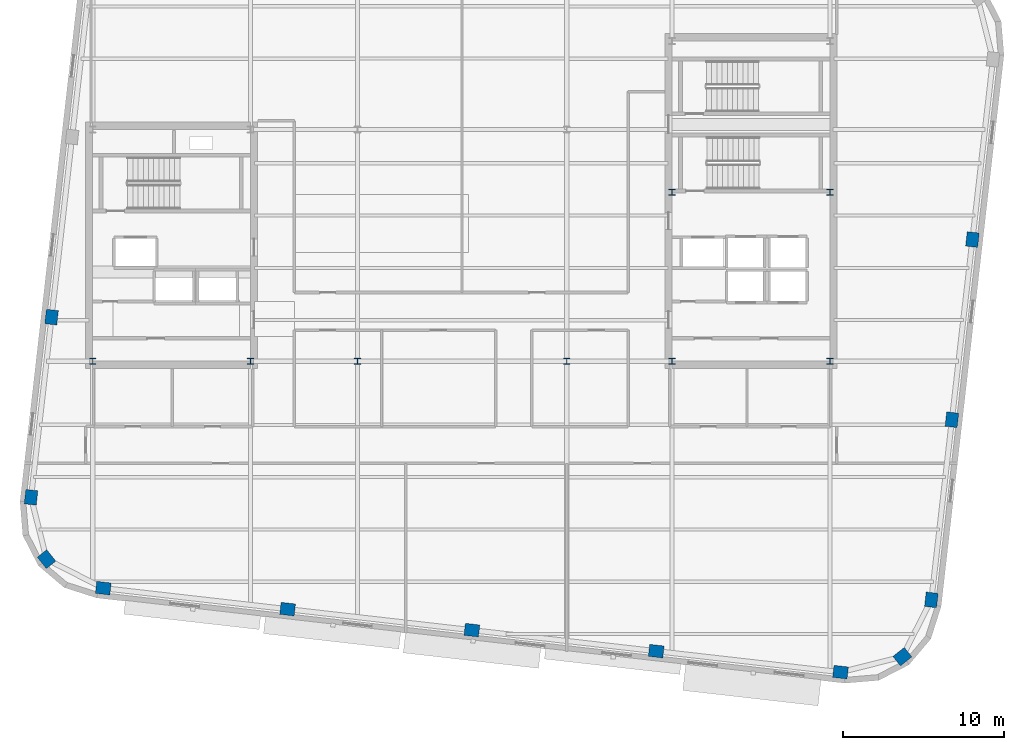
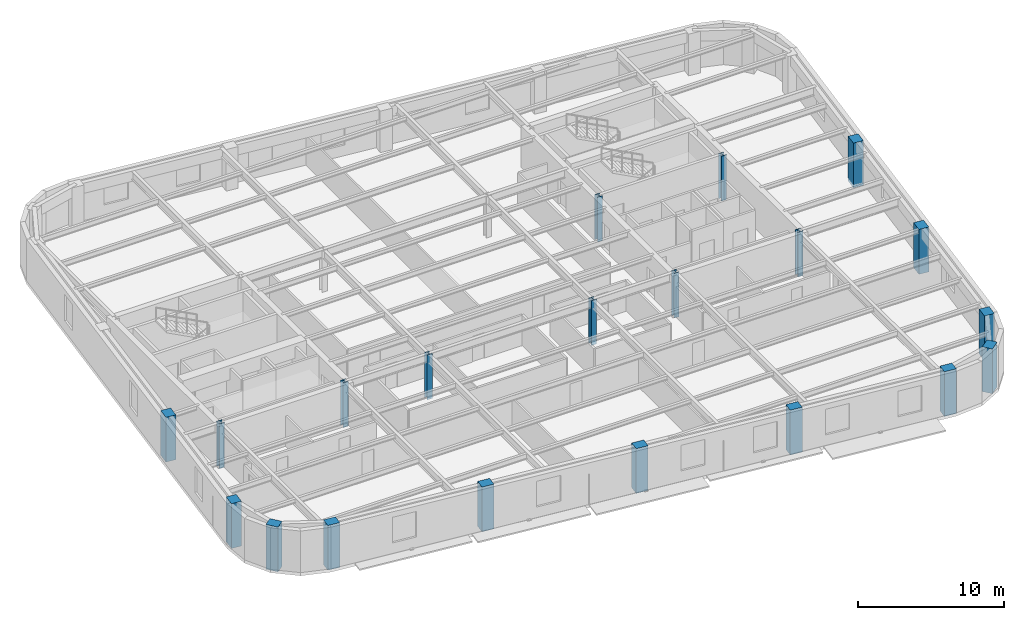
# One storey, part 1 of 13: 20 columns.
"""IFC4 building model written with IfcOpenShell, lengths in metres."""

from ifc_helpers import new_model, si_unit, direction, frame, origin, origin_2d, place, context, subcontext, project, spatial, rectangle, i_section, extrude, material, material_profile, profile_set, type_object, element, save


model = new_model("IFC4")

# Units and contexts
model_context = context("Model", 3, precision=1e-05, world=origin(), true_north=direction((0.0, 1.0)))
body_context = subcontext(model_context, "Body", "Model", "MODEL_VIEW")
ifc_project = project(units=[si_unit("LENGTHUNIT", "METRE"), si_unit("AREAUNIT", "SQUARE_METRE"), si_unit("VOLUMEUNIT", "CUBIC_METRE"), si_unit("PLANEANGLEUNIT", "RADIAN"), si_unit("MASSUNIT", "GRAM", prefix="KILO")], contexts=[model_context])

# Site, building, storey
site_placement = place(None, origin())
site = spatial("IfcSite", under=ifc_project, at=site_placement, CompositionType="ELEMENT")
building_placement = place(site_placement, origin())
building = spatial("IfcBuilding", under=site, at=building_placement, Name="Kolvaren Arena Tower", CompositionType="ELEMENT")
storey_placement = place(building_placement, frame((0.0, 0.0, 262.199951171875)))
storey = spatial("IfcBuildingStorey", under=building, at=storey_placement, Name="L64", CompositionType="ELEMENT", Elevation=262.199951171875)

# Columns
ifc_material_1 = material(Name="Precast concrete C55/67", Category="concrete")
ifc_material_profile_1 = material_profile(ifc_material_1, rectangle(XDim=0.89990234375, YDim=0.75, at=origin_2d()), Name="RC-900x750")
ifc_profile_set_1 = profile_set([ifc_material_profile_1], Name="Precast concrete C55/67")
column_type_1 = type_object("IfcColumnType", Name="EXCOL-Z4", PredefinedType="COLUMN", material=ifc_profile_set_1)
for number, where, z_axis, x_axis, name in (
    (1, (15.207763671875, 5.350830078125, -0.27001953125), (0.0, 0.0, 1.0), (0.993571855677, -0.113203213768, 0.0), "Exoskeleton Perimeter Column 01 (L64)"),
    (2, (26.65869140625, 4.046142578125, -0.27001953125), (0.0, 0.0, 1.0), (0.993571855677, -0.113203213768, 0.0), "Exoskeleton Perimeter Column 02 (L64)"),
    (3, (38.109619140625, 2.741455078125, -0.27001953125), (0.0, 0.0, 1.0), (0.993571855677, -0.113203213768, 0.0), "Exoskeleton Perimeter Column 03 (L64)"),
    (4, (49.560302734375, 1.436767578125, -0.27001953125), (0.0, 0.0, 1.0), (0.993571855677, -0.113203213768, 0.0), "Exoskeleton Perimeter Column 04 (L64)"),
    (5, (61.011474609375, 0.132080078125, -0.27001953125), (0.0, 0.0, 1.0), (0.993571855677, -0.113203213768, 0.0), "Exoskeleton Perimeter Column 05 (L64)"),
    (6, (64.853759765625, 1.094482421875, -0.27001953125), (0.0, 0.0, 1.0), (0.782608156852, 0.622514636638, 0.0), "Exoskeleton Perimeter Column 06 (L64)"),
    (7, (66.656005859375, 4.6220703125, -0.27001953125), (0.0, 0.0, 1.0), (0.113203213768, 0.993571855677, 0.0), "Exoskeleton Perimeter Column 07 (L64)"),
    (8, (67.931396484375, 15.816162109375, -0.27001953125), (0.0, 0.0, 1.0), (0.113203213768, 0.993571855677, 0.0), "Exoskeleton Perimeter Column 08 (L64)"),
    (9, (69.206787109375, 27.010498046875, -0.27001953125), (0.0, 0.0, 1.0), (0.113203213768, 0.993571855677, 0.0), "Exoskeleton Perimeter Column 09 (L64)"),
    (10, (11.9931640625, 22.189453125, -0.27001953125), (0.0, 0.0, 1.0), (0.113203213768, 0.993571855677, 0.0), "Exoskeleton Perimeter Column 20 (L64)"),
    (11, (10.7177734375, 10.995361328125, -0.27001953125), (0.0, 0.0, 1.0), (0.113203213768, 0.993571855677, 0.0), "Exoskeleton Perimeter Column 21 (L64)"),
    (12, (11.680419921875, 7.15283203125, -0.27001953125), (0.0, 0.0, 1.0), (-0.622514636638, 0.782608156852, 0.0), "Exoskeleton Perimeter Column 22 (L64)"),
):
    element("IfcColumn", number, at=place(storey_placement, frame(where, z_axis=z_axis, x_axis=x_axis)), inside=storey, type_object=column_type_1, Name=name, PredefinedType="COLUMN", context=body_context, shape_type="SweptSolid", body=[
        extrude(rectangle(XDim=0.89990234375, YDim=0.75, at=origin_2d()), origin(), (0.0, 0.0, 1.0), 3.75),
    ])
ifc_material_2 = material(Name="Steel ASTM A913 Grade 65", Category="steel")
ifc_material_profile_2 = material_profile(ifc_material_2, i_section(OverallWidth=0.39892578125, OverallDepth=0.39306640625, WebThickness=0.022705078125, FlangeThickness=0.03662109375, FilletRadius=0.02001953125, at=origin_2d()), Name="W360x287")
ifc_profile_set_2 = profile_set([ifc_material_profile_2], Name="Steel ASTM A913 Grade 65")
column_type_2 = type_object("IfcColumnType", Name="SCOL-Z4", PredefinedType="COLUMN", material=ifc_profile_set_2)
for number, where, z_axis, x_axis, name in (
    (13, (14.550048828125, 19.449951171875, -0.27001953125), (0.0, 0.0, 1.0), (1.0, 0.0, 0.0), "Core Boundary Column WC-SW (L64)"),
    (14, (24.35009765625, 19.449951171875, -0.27001953125), (0.0, 0.0, 1.0), (1.0, 0.0, 0.0), "Core Boundary Column WC-SE (L64)"),
    (15, (50.550048828125, 19.449951171875, -0.27001953125), (0.0, 0.0, 1.0), (1.0, 0.0, 0.0), "Core Boundary Column EC-SW (L64)"),
    (16, (60.35009765625, 19.449951171875, -0.27001953125), (0.0, 0.0, 1.0), (1.0, 0.0, 0.0), "Core Boundary Column EC-SE (L64)"),
    (17, (50.550048828125, 29.949951171875, -0.27001953125), (0.0, 0.0, 1.0), (1.0, 0.0, 0.0), "Core Boundary Column EC-MW (L64)"),
    (18, (60.35009765625, 29.949951171875, -0.27001953125), (0.0, 0.0, 1.0), (1.0, 0.0, 0.0), "Core Boundary Column EC-ME (L64)"),
    (19, (31.0, 19.449951171875, -0.27001953125), (0.0, 0.0, 1.0), (1.0, 0.0, 0.0), "Interior Gravity Column TC-SW (L64)"),
    (20, (44.0, 19.449951171875, -0.27001953125), (0.0, 0.0, 1.0), (1.0, 0.0, 0.0), "Interior Gravity Column TC-SE (L64)"),
):
    element("IfcColumn", number, at=place(storey_placement, frame(where, z_axis=z_axis, x_axis=x_axis)), inside=storey, type_object=column_type_2, Name=name, PredefinedType="COLUMN", context=body_context, shape_type="SweptSolid", body=[
        extrude(i_section(OverallWidth=0.39892578125, OverallDepth=0.39306640625, WebThickness=0.022705078125, FlangeThickness=0.03662109375, FilletRadius=0.02001953125, at=origin_2d()), origin(), (0.0, 0.0, 1.0), 3.75),
    ])

save(model, "model.ifc")
